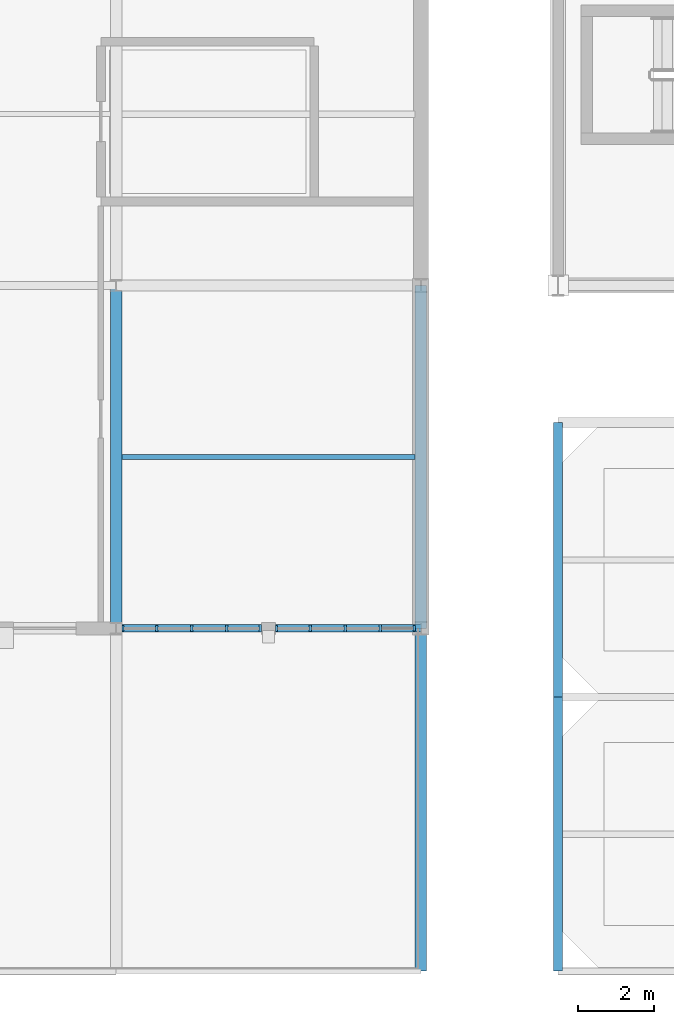
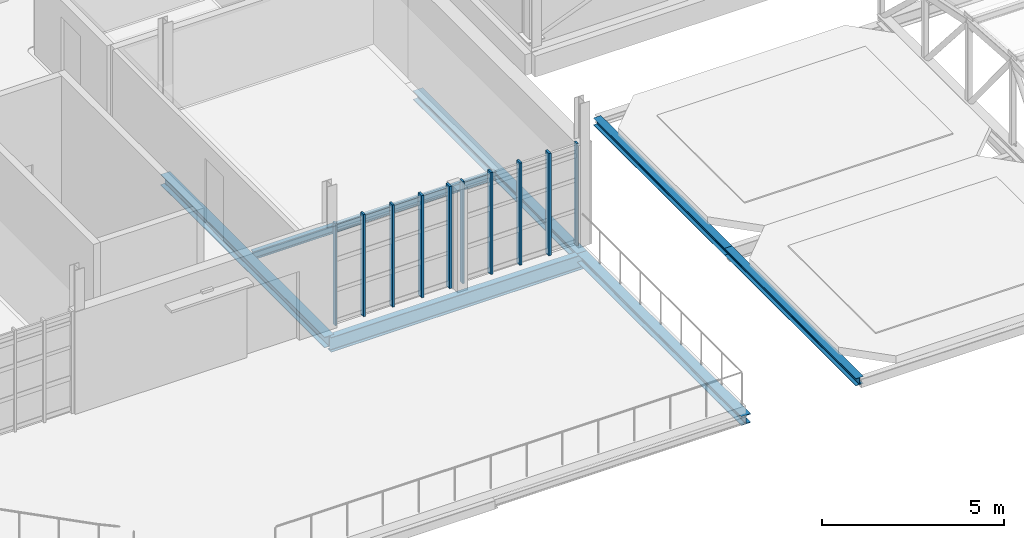
# One storey, part 12 of 128: 10 members, 7 beams, 2 elements without a shape of their own.
"""IFC4 building model written with IfcOpenShell, lengths in metres."""

from ifc_helpers import new_model, si_unit, direction, frame, origin, origin_2d, place, context, subcontext, project, spatial, rectangle, i_section, extrude, material, material_profile, profile_set, type_object, element, aggregate, save


model = new_model("IFC4")

# Units and contexts
model_context = context("Model", 3, precision=1e-05, world=origin(), true_north=direction((0.0, 1.0)))
body_context = subcontext(model_context, "Body", "Model", "MODEL_VIEW")
ifc_project = project(units=[si_unit("LENGTHUNIT", "METRE"), si_unit("AREAUNIT", "SQUARE_METRE"), si_unit("VOLUMEUNIT", "CUBIC_METRE"), si_unit("PLANEANGLEUNIT", "RADIAN"), si_unit("MASSUNIT", "GRAM", prefix="KILO")], contexts=[model_context])

# Site, building, storey
site_placement = place(None, origin())
site = spatial("IfcSite", under=ifc_project, at=site_placement, CompositionType="ELEMENT")
building_placement = place(site_placement, origin())
building = spatial("IfcBuilding", under=site, at=building_placement, Name="Serraforn Aerial Cableway Station", CompositionType="ELEMENT")
storey_placement = place(building_placement, frame((0.0, 0.0, 9.0)))
storey = spatial("IfcBuildingStorey", under=building, at=storey_placement, Name="L02", CompositionType="ELEMENT", Elevation=9.0)

# Beams
ifc_material_1 = material(Name="Steel S355JR", Category="steel")
ifc_material_profile_1 = material_profile(ifc_material_1, i_section(OverallWidth=0.239990234375, OverallDepth=0.239990234375, WebThickness=0.007568359375, FlangeThickness=0.011962890625, FilletRadius=0.02099609375, at=origin_2d()), Name="HEA 240")
ifc_profile_set_1 = profile_set([ifc_material_profile_1], Name="Steel S355JR")
beam_type_1 = type_object("IfcBeamType", Name="BM-ST-HEA240", PredefinedType="BEAM", material=ifc_profile_set_1)
for number, where, z_axis, x_axis, name in (
    (1, (27.60009765625, 0.0, -0.43994140625), (0.0, 1.0, 0.0), (-1.0, 0.0, 0.0), "Grid Girder Y CF L02 X1-1"),
    (2, (27.60009765625, 7.199951171875, -0.43994140625), (0.0, 1.0, 0.0), (-1.0, 0.0, 0.0), "Grid Girder Y CF L02 X1-2"),
):
    element("IfcBeam", number, at=place(storey_placement, frame(where, z_axis=z_axis, x_axis=x_axis)), inside=storey, type_object=beam_type_1, Name=name, PredefinedType="BEAM", context=body_context, shape_type="SweptSolid", body=[
        extrude(i_section(OverallWidth=0.239990234375, OverallDepth=0.239990234375, WebThickness=0.007568359375, FlangeThickness=0.011962890625, FilletRadius=0.02099609375, at=origin_2d()), origin(), (0.0, 0.0, 1.0), 7.199951171875),
    ])
ifc_material_profile_2 = material_profile(ifc_material_1, i_section(OverallWidth=0.300048828125, OverallDepth=0.360107421875, WebThickness=0.010009765625, FlangeThickness=0.017578125, FilletRadius=0.027099609375, at=origin_2d()), Name="HEA 360")
ifc_profile_set_2 = profile_set([ifc_material_profile_2], Name="Steel S355JR")
beam_type_2 = type_object("IfcBeamType", Name="BM-ST-HEA360", PredefinedType="BEAM", material=ifc_profile_set_2)
beam_1_placement = place(storey_placement, frame((16.0, 9.0, -0.5), z_axis=(0.0, 1.0, 0.0), x_axis=(-1.0, 0.0, 0.0)))
element("IfcBeam", 3, at=beam_1_placement, inside=storey, type_object=beam_type_2, Name="Grid Girder Y W L02 X3-2", PredefinedType="BEAM", context=body_context, shape_type="SweptSolid", body=[
    extrude(i_section(OverallWidth=0.300048828125, OverallDepth=0.360107421875, WebThickness=0.010009765625, FlangeThickness=0.017578125, FilletRadius=0.027099609375, at=origin_2d()), origin(), (0.0, 0.0, 1.0), 9.0),
])
ifc_material_2 = material(Name="Steel S355J2", Category="steel")
ifc_material_profile_3 = material_profile(ifc_material_2, i_section(OverallWidth=0.300048828125, OverallDepth=0.300048828125, WebThickness=0.010986328125, FlangeThickness=0.01904296875, FilletRadius=0.027099609375, at=origin_2d()), Name="HEB 300")
ifc_profile_set_3 = profile_set([ifc_material_profile_3], Name="Steel S355J2")
beam_type_3 = type_object("IfcBeamType", Name="BM-ST-HEB300", PredefinedType="BEAM", material=ifc_profile_set_3)
for number, where, z_axis, x_axis, name in (
    (4, (24.0, 0.0, -0.469970703125), (0.0, 1.0, 0.0), (-1.0, 0.0, 0.0), "Grid Girder Y W L02 X4-1"),
    (5, (24.0, 9.0, -0.469970703125), (0.0, 1.0, 0.0), (-1.0, 0.0, 0.0), "Grid Girder Y W L02 X4-2"),
):
    element("IfcBeam", number, at=place(storey_placement, frame(where, z_axis=z_axis, x_axis=x_axis)), inside=storey, type_object=beam_type_3, Name=name, PredefinedType="BEAM", context=body_context, shape_type="SweptSolid", body=[
        extrude(i_section(OverallWidth=0.300048828125, OverallDepth=0.300048828125, WebThickness=0.010986328125, FlangeThickness=0.01904296875, FilletRadius=0.027099609375, at=origin_2d()), origin(), (0.0, 0.0, 1.0), 9.0),
    ])
ifc_material_profile_4 = material_profile(ifc_material_1, i_section(OverallWidth=0.135009765625, OverallDepth=0.27001953125, WebThickness=0.006591796875, FlangeThickness=0.01025390625, FilletRadius=0.014892578125, at=origin_2d()), Name="IPE 270")
ifc_profile_set_4 = profile_set([ifc_material_profile_4], Name="Steel S355JR")
beam_type_4 = type_object("IfcBeamType", Name="BM-ST-IPE270", PredefinedType="JOIST", material=ifc_profile_set_4)
beam_2_placement = place(storey_placement, frame((16.14990234375, 13.5, -0.389892578125), z_axis=(1.0, 0.0, 0.0), x_axis=(0.0, 1.0, 0.0)))
element("IfcBeam", 6, at=beam_2_placement, inside=storey, type_object=beam_type_4, Name="Floor Joist W-L02-3-2-1", PredefinedType="JOIST", context=body_context, shape_type="SweptSolid", body=[
    extrude(i_section(OverallWidth=0.135009765625, OverallDepth=0.27001953125, WebThickness=0.006591796875, FlangeThickness=0.01025390625, FilletRadius=0.014892578125, at=origin_2d()), origin(), (0.0, 0.0, 1.0), 7.7001953125),
])
ifc_material_profile_5 = material_profile(ifc_material_1, i_section(OverallWidth=0.199951171875, OverallDepth=0.5, WebThickness=0.01025390625, FlangeThickness=0.01611328125, FilletRadius=0.02099609375, at=origin_2d()), Name="IPE 500")
ifc_profile_set_5 = profile_set([ifc_material_profile_5], Name="Steel S355JR")
beam_type_5 = type_object("IfcBeamType", Name="BM-ST-IPE500", PredefinedType="USERDEFINED", material=ifc_profile_set_5)
beam_3_placement = place(storey_placement, frame((16.0, 9.0, -0.570068359375), z_axis=(1.0, 0.0, 0.0), x_axis=(0.0, 1.0, 0.0)))
element("IfcBeam", 7, at=beam_3_placement, inside=storey, type_object=beam_type_5, Name="Grid Girder X W L02 Y2-3", ObjectType="GIRDER", PredefinedType="USERDEFINED", context=body_context, shape_type="SweptSolid", body=[
    extrude(i_section(OverallWidth=0.199951171875, OverallDepth=0.5, WebThickness=0.01025390625, FlangeThickness=0.01611328125, FilletRadius=0.02099609375, at=origin_2d()), origin(), (0.0, 0.0, 1.0), 8.0),
])

# Curtain wall, member
ifc_material_3 = material(Name="Anodised bronze unitised curtain wall")
curtain_wall_type_1 = type_object("IfcCurtainWallType", Name="CW-SYS-25", PredefinedType="USERDEFINED", material=ifc_material_3)
curtain_wall_1_placement = place(storey_placement, origin())
curtain_wall_1 = element("IfcCurtainWall", 8, at=curtain_wall_1_placement, inside=storey, type_object=curtain_wall_type_1, Name="Unitised Curtain Wall CW-W-L02-S3A", ObjectType="UNITISED CURTAIN WALL", PredefinedType="USERDEFINED")
ifc_material_4 = material(Name="Anodised bronze extruded aluminium", Category="aluminium")
ifc_material_profile_6 = material_profile(ifc_material_4, rectangle(XDim=0.054931640625, YDim=0.139892578125, at=origin_2d()), Name="CW MULLION 55x140")
ifc_profile_set_6 = profile_set([ifc_material_profile_6], Name="Anodised bronze extruded aluminium")
member_type_1 = type_object("IfcMemberType", Name="CW-MUL-1", PredefinedType="MULLION", material=ifc_profile_set_6)
member_1_placement = place(storey_placement, frame((16.175537109375, 9.0, 0.0), z_axis=(0.0, 0.0, 1.0), x_axis=(1.0, 0.0, 0.0)))
member_1 = element("IfcMember", 9, at=member_1_placement, type_object=member_type_1, Name="Curtain Wall Mullion CW-W-L02-S3A-M1", PredefinedType="MULLION", context=body_context, shape_type="SweptSolid", body=[
    extrude(rectangle(XDim=0.054931640625, YDim=0.139892578125, at=origin_2d()), origin(), (0.0, 0.0, 1.0), 3.419921875),
])

curtain_wall_type_2 = type_object("IfcCurtainWallType", Name="CW-SYS-26", PredefinedType="USERDEFINED", material=ifc_material_3)
curtain_wall_2_placement = place(storey_placement, origin())
curtain_wall_2 = element("IfcCurtainWall", 10, at=curtain_wall_2_placement, inside=storey, type_object=curtain_wall_type_2, Name="Unitised Curtain Wall CW-W-L02-S3B", ObjectType="UNITISED CURTAIN WALL", PredefinedType="USERDEFINED")
member_2_placement = place(storey_placement, frame((23.824462890625, 9.0, 0.0), z_axis=(0.0, 0.0, 1.0), x_axis=(1.0, 0.0, 0.0)))
member_2 = element("IfcMember", 11, at=member_2_placement, type_object=member_type_1, Name="Curtain Wall Mullion CW-W-L02-S3B-M5", PredefinedType="MULLION", context=body_context, shape_type="SweptSolid", body=[
    extrude(rectangle(XDim=0.054931640625, YDim=0.139892578125, at=origin_2d()), origin(), (0.0, 0.0, 1.0), 3.419921875),
])

# Member
ifc_material_profile_7 = material_profile(ifc_material_4, rectangle(XDim=0.06005859375, YDim=0.159912109375, at=origin_2d()), Name="CW MULLION 60x160")
ifc_profile_set_7 = profile_set([ifc_material_profile_7], Name="Anodised bronze extruded aluminium")
member_type_2 = type_object("IfcMemberType", Name="CW-MUL-2", PredefinedType="MULLION", material=ifc_profile_set_7)
member_3_placement = place(storey_placement, frame((17.06591796875, 9.0, 0.0), z_axis=(0.0, 0.0, 1.0), x_axis=(1.0, 0.0, 0.0)))
member_3 = element("IfcMember", 12, at=member_3_placement, type_object=member_type_2, Name="Curtain Wall Mullion CW-W-L02-S3A-M2", PredefinedType="MULLION", context=body_context, shape_type="SweptSolid", body=[
    extrude(rectangle(XDim=0.06005859375, YDim=0.159912109375, at=origin_2d()), origin(), (0.0, 0.0, 1.0), 3.419921875),
])

member_4_placement = place(storey_placement, frame((20.2099609375, 9.0, 0.0), z_axis=(0.0, 0.0, 1.0), x_axis=(1.0, 0.0, 0.0)))
member_4 = element("IfcMember", 13, at=member_4_placement, type_object=member_type_2, Name="Curtain Wall Mullion CW-W-L02-S3B-M1", PredefinedType="MULLION", context=body_context, shape_type="SweptSolid", body=[
    extrude(rectangle(XDim=0.06005859375, YDim=0.159912109375, at=origin_2d()), origin(), (0.0, 0.0, 1.0), 3.419921875),
])

ifc_material_profile_8 = material_profile(ifc_material_4, rectangle(XDim=0.06494140625, YDim=0.175048828125, at=origin_2d()), Name="CW MULLION 65x175")
ifc_profile_set_8 = profile_set([ifc_material_profile_8], Name="Anodised bronze extruded aluminium")
member_type_3 = type_object("IfcMemberType", Name="CW-MUL-3", PredefinedType="MULLION", material=ifc_profile_set_8)
member_5_placement = place(storey_placement, frame((17.98388671875, 9.0, 0.0), z_axis=(0.0, 0.0, 1.0), x_axis=(1.0, 0.0, 0.0)))
member_5 = element("IfcMember", 14, at=member_5_placement, type_object=member_type_3, Name="Curtain Wall Mullion CW-W-L02-S3A-M3", PredefinedType="MULLION", context=body_context, shape_type="SweptSolid", body=[
    extrude(rectangle(XDim=0.06494140625, YDim=0.175048828125, at=origin_2d()), origin(), (0.0, 0.0, 1.0), 3.419921875),
])

member_6_placement = place(storey_placement, frame((21.097900390625, 9.0, 0.0), z_axis=(0.0, 0.0, 1.0), x_axis=(1.0, 0.0, 0.0)))
member_6 = element("IfcMember", 15, at=member_6_placement, type_object=member_type_3, Name="Curtain Wall Mullion CW-W-L02-S3B-M2", PredefinedType="MULLION", context=body_context, shape_type="SweptSolid", body=[
    extrude(rectangle(XDim=0.06494140625, YDim=0.175048828125, at=origin_2d()), origin(), (0.0, 0.0, 1.0), 3.419921875),
])

ifc_material_profile_9 = material_profile(ifc_material_4, rectangle(XDim=0.070068359375, YDim=0.18994140625, at=origin_2d()), Name="CW MULLION 70x190")
ifc_profile_set_9 = profile_set([ifc_material_profile_9], Name="Anodised bronze extruded aluminium")
member_type_4 = type_object("IfcMemberType", Name="CW-MUL-4", PredefinedType="MULLION", material=ifc_profile_set_9)
member_7_placement = place(storey_placement, frame((18.902099609375, 9.0, 0.0), z_axis=(0.0, 0.0, 1.0), x_axis=(1.0, 0.0, 0.0)))
member_7 = element("IfcMember", 16, at=member_7_placement, type_object=member_type_4, Name="Curtain Wall Mullion CW-W-L02-S3A-M4", PredefinedType="MULLION", context=body_context, shape_type="SweptSolid", body=[
    extrude(rectangle(XDim=0.070068359375, YDim=0.18994140625, at=origin_2d()), origin(), (0.0, 0.0, 1.0), 3.419921875),
])

member_8_placement = place(storey_placement, frame((22.01611328125, 9.0, 0.0), z_axis=(0.0, 0.0, 1.0), x_axis=(1.0, 0.0, 0.0)))
member_8 = element("IfcMember", 17, at=member_8_placement, type_object=member_type_4, Name="Curtain Wall Mullion CW-W-L02-S3B-M3", PredefinedType="MULLION", context=body_context, shape_type="SweptSolid", body=[
    extrude(rectangle(XDim=0.070068359375, YDim=0.18994140625, at=origin_2d()), origin(), (0.0, 0.0, 1.0), 3.419921875),
])

ifc_material_profile_10 = material_profile(ifc_material_4, rectangle(XDim=0.074951171875, YDim=0.199951171875, at=origin_2d()), Name="CW MULLION 75x200")
ifc_profile_set_10 = profile_set([ifc_material_profile_10], Name="Anodised bronze extruded aluminium")
member_type_5 = type_object("IfcMemberType", Name="CW-MUL-5", PredefinedType="MULLION", material=ifc_profile_set_10)
member_9_placement = place(storey_placement, frame((19.782470703125, 9.0, 0.0), z_axis=(0.0, 0.0, 1.0), x_axis=(1.0, 0.0, 0.0)))
member_9 = element("IfcMember", 18, at=member_9_placement, type_object=member_type_5, Name="Curtain Wall Mullion CW-W-L02-S3A-M5", PredefinedType="MULLION", context=body_context, shape_type="SweptSolid", body=[
    extrude(rectangle(XDim=0.074951171875, YDim=0.199951171875, at=origin_2d()), origin(), (0.0, 0.0, 1.0), 3.419921875),
])

aggregate(curtain_wall_1, [member_1, member_3, member_5, member_7, member_9])

member_10_placement = place(storey_placement, frame((22.93408203125, 9.0, 0.0), z_axis=(0.0, 0.0, 1.0), x_axis=(1.0, 0.0, 0.0)))
member_10 = element("IfcMember", 19, at=member_10_placement, type_object=member_type_5, Name="Curtain Wall Mullion CW-W-L02-S3B-M4", PredefinedType="MULLION", context=body_context, shape_type="SweptSolid", body=[
    extrude(rectangle(XDim=0.074951171875, YDim=0.199951171875, at=origin_2d()), origin(), (0.0, 0.0, 1.0), 3.419921875),
])

aggregate(curtain_wall_2, [member_4, member_6, member_8, member_10, member_2])

save(model, "model.ifc")
